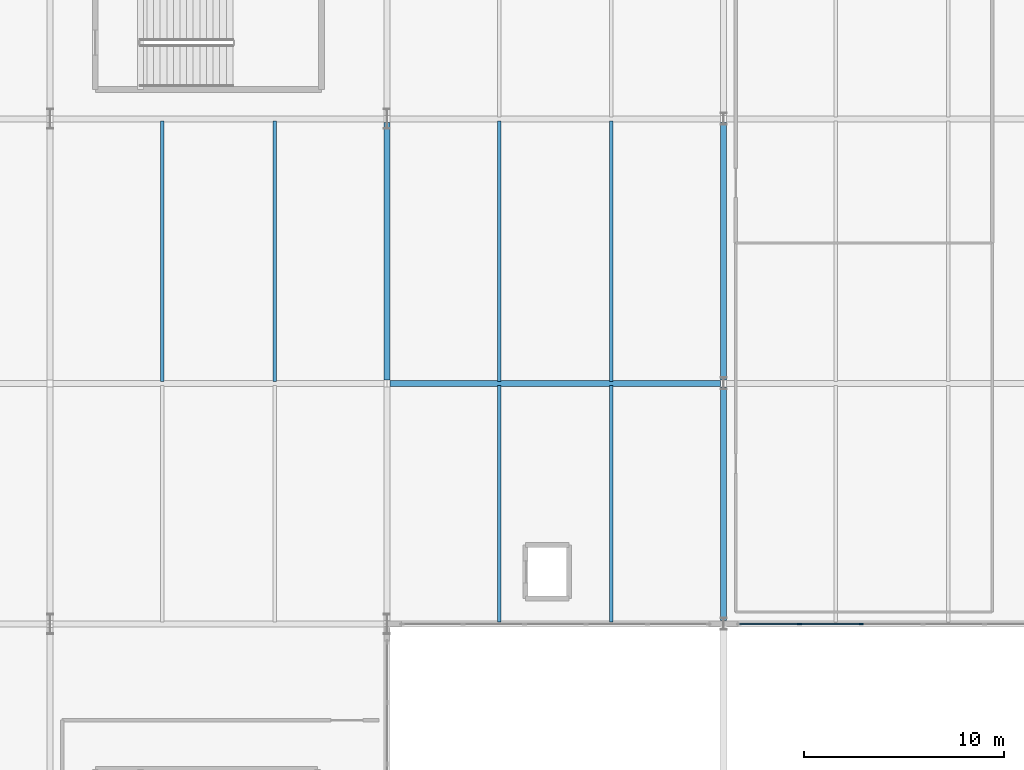
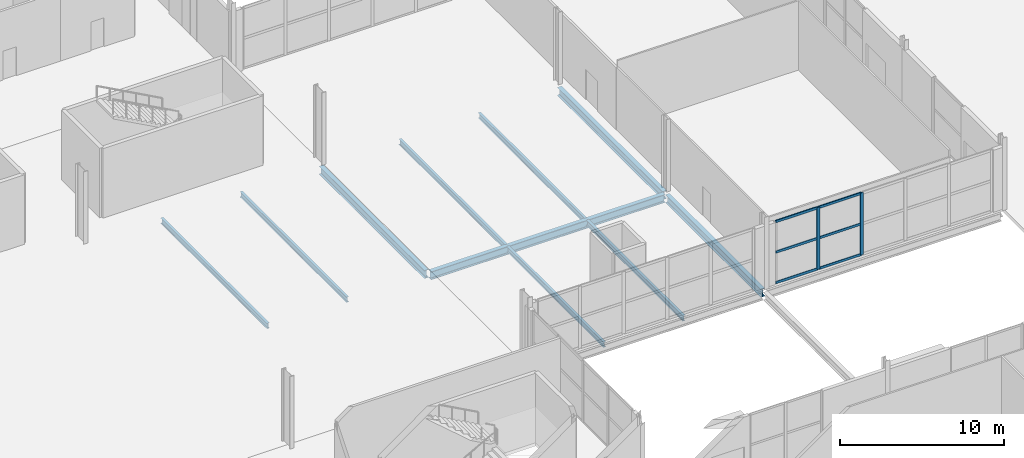
# One storey, part 45 of 87: 10 beams, 8 members, 1 element without a shape of its own.
"""IFC4 building model written with IfcOpenShell, lengths in metres."""

from ifc_helpers import new_model, si_unit, direction, frame, origin, origin_2d, place, context, subcontext, project, spatial, rectangle, i_section, extrude, material, material_profile, profile_set, type_object, element, aggregate, save


model = new_model("IFC4")

# Units and contexts
model_context = context("Model", 3, precision=1e-05, world=origin(), true_north=direction((0.0, 1.0)))
body_context = subcontext(model_context, "Body", "Model", "MODEL_VIEW")
ifc_project = project(units=[si_unit("LENGTHUNIT", "METRE"), si_unit("AREAUNIT", "SQUARE_METRE"), si_unit("VOLUMEUNIT", "CUBIC_METRE"), si_unit("PLANEANGLEUNIT", "RADIAN"), si_unit("MASSUNIT", "GRAM", prefix="KILO")], contexts=[model_context])

# Site, building, storey
site_placement = place(None, origin())
site = spatial("IfcSite", under=ifc_project, at=site_placement, CompositionType="ELEMENT")
building_placement = place(site_placement, origin())
building = spatial("IfcBuilding", under=site, at=building_placement, Name="Kimbaza Rail Terminus", CompositionType="ELEMENT")
storey_placement = place(building_placement, origin())
storey = spatial("IfcBuildingStorey", under=building, at=storey_placement, Name="L00", CompositionType="ELEMENT", Elevation=0.0)

# Curtain wall, members
ifc_material_1 = material(Name="Anodised aluminium framing and solar low-E glazing", Category="aluminium")
curtain_wall_type = type_object("IfcCurtainWallType", Name="ARC-CW-TH1", PredefinedType="USERDEFINED", material=ifc_material_1)
curtain_wall_placement = place(storey_placement, origin())
curtain_wall = element("IfcCurtainWall", 1, at=curtain_wall_placement, inside=storey, type_object=curtain_wall_type, Name="Ticket Hall Wing E Curtain Wall L00.2", ObjectType="UNITISED CURTAIN WALL", PredefinedType="USERDEFINED")
ifc_material_2 = material(Name="Anodised architectural aluminium", Category="aluminium")
ifc_material_profile_1 = material_profile(ifc_material_2, rectangle(XDim=0.074951171875, YDim=0.219970703125, at=origin_2d()), Name="MULLION 75x220")
ifc_profile_set_1 = profile_set([ifc_material_profile_1], Name="Anodised architectural aluminium")
member_type_1 = type_object("IfcMemberType", Name="ARC-CWM-01", PredefinedType="MULLION", material=ifc_profile_set_1)
member_1_placement = place(storey_placement, frame((176.592041015625, 55.0, 0.0), z_axis=(0.0, 0.0, 1.0), x_axis=(0.0, 1.0, 0.0)))
member_1 = element("IfcMember", 2, at=member_1_placement, type_object=member_type_1, Name="CW-01 mullion 2", PredefinedType="MULLION", context=body_context, shape_type="SweptSolid", body=[
    extrude(rectangle(XDim=0.074951171875, YDim=0.219970703125, at=origin_2d()), origin(), (0.0, 0.0, 1.0), 4.625),
])
member_2_placement = place(storey_placement, frame((179.6640625, 55.0, 0.0), z_axis=(0.0, 0.0, 1.0), x_axis=(0.0, 1.0, 0.0)))
member_2 = element("IfcMember", 3, at=member_2_placement, type_object=member_type_1, Name="CW-01 mullion 3", PredefinedType="MULLION", context=body_context, shape_type="SweptSolid", body=[
    extrude(rectangle(XDim=0.074951171875, YDim=0.219970703125, at=origin_2d()), origin(), (0.0, 0.0, 1.0), 4.625),
])
ifc_material_3 = material(Name="Anodised architectural aluminium", Category="aluminium")
ifc_material_profile_2 = material_profile(ifc_material_3, rectangle(XDim=0.074951171875, YDim=0.179931640625, at=origin_2d()), Name="TRANSOM 75x180")
ifc_profile_set_2 = profile_set([ifc_material_profile_2], Name="Anodised architectural aluminium")
member_type_2 = type_object("IfcMemberType", Name="ARC-CWT-01", PredefinedType="USERDEFINED", material=ifc_profile_set_2)
member_3_placement = place(storey_placement, frame((173.594970703125, 55.0, 0.03759765625), z_axis=(1.0, 0.0, 0.0), x_axis=(0.0, 1.0, 0.0)))
member_3 = element("IfcMember", 4, at=member_3_placement, type_object=member_type_2, Name="CW-01 transom 1.1", ObjectType="TRANSOM", PredefinedType="USERDEFINED", context=body_context, shape_type="SweptSolid", body=[
    extrude(rectangle(XDim=0.074951171875, YDim=0.179931640625, at=origin_2d()), origin(), (0.0, 0.0, 1.0), 2.95947265625),
])
member_4_placement = place(storey_placement, frame((173.594970703125, 55.0, 2.3125), z_axis=(1.0, 0.0, 0.0), x_axis=(0.0, 1.0, 0.0)))
member_4 = element("IfcMember", 5, at=member_4_placement, type_object=member_type_2, Name="CW-01 transom 1.2", ObjectType="TRANSOM", PredefinedType="USERDEFINED", context=body_context, shape_type="SweptSolid", body=[
    extrude(rectangle(XDim=0.074951171875, YDim=0.179931640625, at=origin_2d()), origin(), (0.0, 0.0, 1.0), 2.95947265625),
])
member_5_placement = place(storey_placement, frame((173.594970703125, 55.0, 4.58740234375), z_axis=(1.0, 0.0, 0.0), x_axis=(0.0, 1.0, 0.0)))
member_5 = element("IfcMember", 6, at=member_5_placement, type_object=member_type_2, Name="CW-01 transom 1.3", ObjectType="TRANSOM", PredefinedType="USERDEFINED", context=body_context, shape_type="SweptSolid", body=[
    extrude(rectangle(XDim=0.074951171875, YDim=0.179931640625, at=origin_2d()), origin(), (0.0, 0.0, 1.0), 2.95947265625),
])
member_6_placement = place(storey_placement, frame((176.62939453125, 55.0, 0.03759765625), z_axis=(1.0, 0.0, 0.0), x_axis=(0.0, 1.0, 0.0)))
member_6 = element("IfcMember", 7, at=member_6_placement, type_object=member_type_2, Name="CW-01 transom 2.1", ObjectType="TRANSOM", PredefinedType="USERDEFINED", context=body_context, shape_type="SweptSolid", body=[
    extrude(rectangle(XDim=0.074951171875, YDim=0.179931640625, at=origin_2d()), origin(), (0.0, 0.0, 1.0), 2.9970703125),
])
member_7_placement = place(storey_placement, frame((176.62939453125, 55.0, 2.3125), z_axis=(1.0, 0.0, 0.0), x_axis=(0.0, 1.0, 0.0)))
member_7 = element("IfcMember", 8, at=member_7_placement, type_object=member_type_2, Name="CW-01 transom 2.2", ObjectType="TRANSOM", PredefinedType="USERDEFINED", context=body_context, shape_type="SweptSolid", body=[
    extrude(rectangle(XDim=0.074951171875, YDim=0.179931640625, at=origin_2d()), origin(), (0.0, 0.0, 1.0), 2.9970703125),
])
member_8_placement = place(storey_placement, frame((176.62939453125, 55.0, 4.58740234375), z_axis=(1.0, 0.0, 0.0), x_axis=(0.0, 1.0, 0.0)))
member_8 = element("IfcMember", 9, at=member_8_placement, type_object=member_type_2, Name="CW-01 transom 2.3", ObjectType="TRANSOM", PredefinedType="USERDEFINED", context=body_context, shape_type="SweptSolid", body=[
    extrude(rectangle(XDim=0.074951171875, YDim=0.179931640625, at=origin_2d()), origin(), (0.0, 0.0, 1.0), 2.9970703125),
])
aggregate(curtain_wall, [member_1, member_2, member_3, member_4, member_5, member_6, member_7, member_8])

# Beams
ifc_material_4 = material(Name="Steel S355", Category="steel")
ifc_material_profile_3 = material_profile(ifc_material_4, i_section(OverallWidth=0.300048828125, OverallDepth=0.60009765625, WebThickness=0.015380859375, FlangeThickness=0.030029296875, FilletRadius=0.027099609375, at=origin_2d()), Name="HEB 600")
ifc_profile_set_3 = profile_set([ifc_material_profile_3], Name="Steel S355")
beam_type_1 = type_object("IfcBeamType", Name="STR-BM-HEB600", PredefinedType="BEAM", material=ifc_profile_set_3)
beam_1_placement = place(storey_placement, frame((156.0, 67.175048828125, -0.550048828125), z_axis=(0.0, 1.0, 0.0), x_axis=(-1.0, 0.0, 0.0)))
element("IfcBeam", 10, at=beam_1_placement, inside=storey, type_object=beam_type_1, Name="Beam BM-V2Y-L00-6-67", PredefinedType="BEAM", context=body_context, shape_type="SweptSolid", body=[
    extrude(i_section(OverallWidth=0.300048828125, OverallDepth=0.60009765625, WebThickness=0.015380859375, FlangeThickness=0.030029296875, FilletRadius=0.027099609375, at=origin_2d()), origin(), (0.0, 0.0, 1.0), 12.849853515625),
])
beam_2_placement = place(storey_placement, frame((172.800048828125, 55.175048828125, -0.550048828125), z_axis=(0.0, 1.0, 0.0), x_axis=(-1.0, 0.0, 0.0)))
element("IfcBeam", 11, at=beam_2_placement, inside=storey, type_object=beam_type_1, Name="Beam BM-V2Y-L00-7-55", PredefinedType="BEAM", context=body_context, shape_type="SweptSolid", body=[
    extrude(i_section(OverallWidth=0.300048828125, OverallDepth=0.60009765625, WebThickness=0.015380859375, FlangeThickness=0.030029296875, FilletRadius=0.027099609375, at=origin_2d()), origin(), (0.0, 0.0, 1.0), 11.64990234375),
])
beam_3_placement = place(storey_placement, frame((172.800048828125, 67.175048828125, -0.550048828125), z_axis=(0.0, 1.0, 0.0), x_axis=(-1.0, 0.0, 0.0)))
element("IfcBeam", 12, at=beam_3_placement, inside=storey, type_object=beam_type_1, Name="Beam BM-V2Y-L00-7-67", PredefinedType="BEAM", context=body_context, shape_type="SweptSolid", body=[
    extrude(i_section(OverallWidth=0.300048828125, OverallDepth=0.60009765625, WebThickness=0.015380859375, FlangeThickness=0.030029296875, FilletRadius=0.027099609375, at=origin_2d()), origin(), (0.0, 0.0, 1.0), 12.849853515625),
])
beam_4_placement = place(storey_placement, frame((156.14599609375, 67.0, -0.550048828125), z_axis=(1.0, 0.0, 0.0), x_axis=(0.0, 1.0, 0.0)))
element("IfcBeam", 13, at=beam_4_placement, inside=storey, type_object=beam_type_1, Name="Beam BM-V2X-L00-4-7", PredefinedType="BEAM", context=body_context, shape_type="SweptSolid", body=[
    extrude(i_section(OverallWidth=0.300048828125, OverallDepth=0.60009765625, WebThickness=0.015380859375, FlangeThickness=0.030029296875, FilletRadius=0.027099609375, at=origin_2d()), origin(), (0.0, 0.0, 1.0), 16.508056640625),
])
ifc_material_5 = material(Name="Steel S355", Category="steel")
ifc_material_profile_4 = material_profile(ifc_material_5, i_section(OverallWidth=0.179931640625, OverallDepth=0.39990234375, WebThickness=0.008544921875, FlangeThickness=0.013427734375, FilletRadius=0.02099609375, at=origin_2d()), Name="IPE 400")
ifc_profile_set_4 = profile_set([ifc_material_profile_4], Name="Steel S355")
beam_type_2 = type_object("IfcBeamType", Name="STR-BM-IPE400", PredefinedType="JOIST", material=ifc_profile_set_4)
for number, where, z_axis, x_axis, name in (
    (14, (144.800048828125, 67.10009765625, -0.449951171875), (0.0, 1.0, 0.0), (-1.0, 0.0, 0.0), "Beam JST-V2-L00-6-1-67"),
    (15, (150.39990234375, 67.10009765625, -0.449951171875), (0.0, 1.0, 0.0), (-1.0, 0.0, 0.0), "Beam JST-V2-L00-6-2-67"),
):
    element("IfcBeam", number, at=place(storey_placement, frame(where, z_axis=z_axis, x_axis=x_axis)), inside=storey, type_object=beam_type_2, Name=name, PredefinedType="JOIST", context=body_context, shape_type="SweptSolid", body=[
        extrude(i_section(OverallWidth=0.179931640625, OverallDepth=0.39990234375, WebThickness=0.008544921875, FlangeThickness=0.013427734375, FilletRadius=0.02099609375, at=origin_2d()), origin(), (0.0, 0.0, 1.0), 13.0),
    ])
beam_5_placement = place(storey_placement, frame((161.60009765625, 55.10009765625, -0.449951171875), z_axis=(0.0, 1.0, 0.0), x_axis=(-1.0, 0.0, 0.0)))
element("IfcBeam", 16, at=beam_5_placement, inside=storey, type_object=beam_type_2, Name="Beam JST-V2-L00-7-1-55", PredefinedType="JOIST", context=body_context, shape_type="SweptSolid", body=[
    extrude(i_section(OverallWidth=0.179931640625, OverallDepth=0.39990234375, WebThickness=0.008544921875, FlangeThickness=0.013427734375, FilletRadius=0.02099609375, at=origin_2d()), origin(), (0.0, 0.0, 1.0), 11.7998046875),
])
beam_6_placement = place(storey_placement, frame((161.60009765625, 67.10009765625, -0.449951171875), z_axis=(0.0, 1.0, 0.0), x_axis=(-1.0, 0.0, 0.0)))
element("IfcBeam", 17, at=beam_6_placement, inside=storey, type_object=beam_type_2, Name="Beam JST-V2-L00-7-1-67", PredefinedType="JOIST", context=body_context, shape_type="SweptSolid", body=[
    extrude(i_section(OverallWidth=0.179931640625, OverallDepth=0.39990234375, WebThickness=0.008544921875, FlangeThickness=0.013427734375, FilletRadius=0.02099609375, at=origin_2d()), origin(), (0.0, 0.0, 1.0), 13.0),
])
beam_7_placement = place(storey_placement, frame((167.199951171875, 55.10009765625, -0.449951171875), z_axis=(0.0, 1.0, 0.0), x_axis=(-1.0, 0.0, 0.0)))
element("IfcBeam", 18, at=beam_7_placement, inside=storey, type_object=beam_type_2, Name="Beam JST-V2-L00-7-2-55", PredefinedType="JOIST", context=body_context, shape_type="SweptSolid", body=[
    extrude(i_section(OverallWidth=0.179931640625, OverallDepth=0.39990234375, WebThickness=0.008544921875, FlangeThickness=0.013427734375, FilletRadius=0.02099609375, at=origin_2d()), origin(), (0.0, 0.0, 1.0), 11.7998046875),
])
beam_8_placement = place(storey_placement, frame((167.199951171875, 67.10009765625, -0.449951171875), z_axis=(0.0, 1.0, 0.0), x_axis=(-1.0, 0.0, 0.0)))
element("IfcBeam", 19, at=beam_8_placement, inside=storey, type_object=beam_type_2, Name="Beam JST-V2-L00-7-2-67", PredefinedType="JOIST", context=body_context, shape_type="SweptSolid", body=[
    extrude(i_section(OverallWidth=0.179931640625, OverallDepth=0.39990234375, WebThickness=0.008544921875, FlangeThickness=0.013427734375, FilletRadius=0.02099609375, at=origin_2d()), origin(), (0.0, 0.0, 1.0), 13.0),
])

save(model, "model.ifc")
